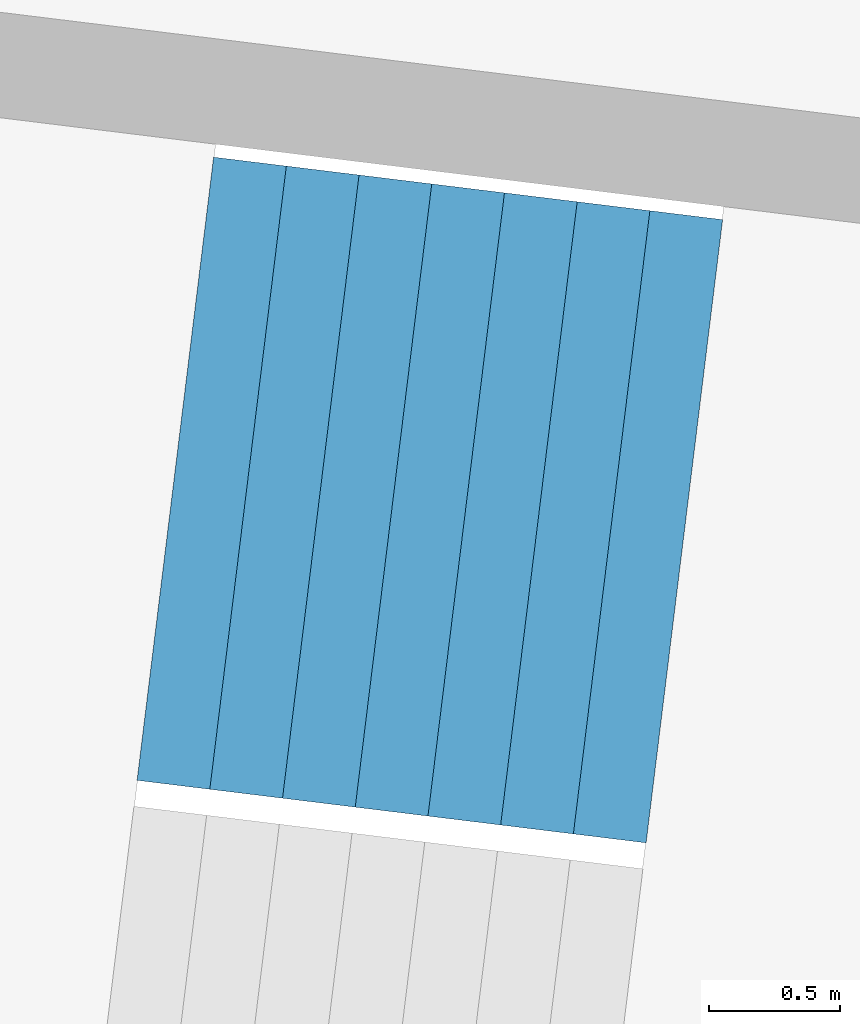
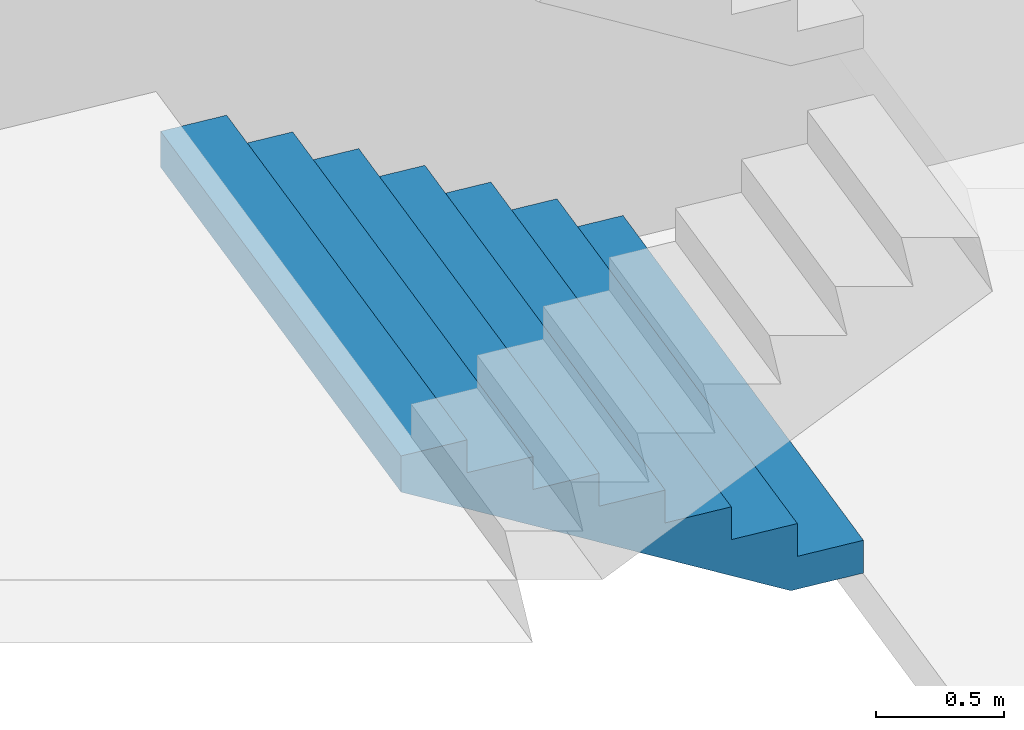
# One storey, part 29 of 73: 1 stair flight, 1 element without a shape of its own.
"""IFC4 building model written with IfcOpenShell, lengths in metres."""

from ifc_helpers import new_model, si_unit, direction, frame, origin, place, context, subcontext, project, spatial, triangles, material, type_object, element, aggregate, save


model = new_model("IFC4")

# Units and contexts
model_context = context("Model", 3, precision=1e-05, world=origin(), true_north=direction((0.0, 1.0)))
body_context = subcontext(model_context, "Body", "Model", "MODEL_VIEW")
ifc_project = project(units=[si_unit("LENGTHUNIT", "METRE"), si_unit("AREAUNIT", "SQUARE_METRE"), si_unit("VOLUMEUNIT", "CUBIC_METRE"), si_unit("PLANEANGLEUNIT", "RADIAN"), si_unit("MASSUNIT", "GRAM", prefix="KILO")], contexts=[model_context])

# Site, building, storey
site_placement = place(None, origin())
site = spatial("IfcSite", under=ifc_project, at=site_placement, CompositionType="ELEMENT")
building_placement = place(site_placement, origin())
building = spatial("IfcBuilding", under=site, at=building_placement, Name="Lantaw Convention Tower", CompositionType="ELEMENT")
storey_placement = place(building_placement, frame((0.0, 0.0, 22.0)))
storey = spatial("IfcBuildingStorey", under=building, at=storey_placement, Name="L03", CompositionType="ELEMENT", Elevation=22.0)

# Stair, stair flight
ifc_material = material(Name="Concrete C35/45", Category="concrete")
stair_type = type_object("IfcStairType", Name="Exit stair 2400 riser 156.25 in 4 flights", PredefinedType="HALF_TURN_STAIR", material=ifc_material)
stair_placement = place(storey_placement, origin())
stair = element("IfcStair", 1, at=stair_placement, inside=storey, type_object=stair_type, Name="Podium exit stair P9 L03", PredefinedType="HALF_TURN_STAIR")
stair_flight_type = type_object("IfcStairFlightType", Name="Stair flight 2400 riser 156.25", PredefinedType="STRAIGHT", material=ifc_material)
stair_flight_placement = place(storey_placement, frame((-37.9716796875, 5.921630859375, 0.0), z_axis=(0.0, 0.0, 1.0), x_axis=(-0.992546151641, 0.121869343405, 0.0)))
stair_flight = element("IfcStairFlight", 2, at=stair_flight_placement, type_object=stair_flight_type, Name="P9 flight 1", NumberOfRisers=8, NumberOfTreads=7, PredefinedType="STRAIGHT", RiserHeight=0.15625, TreadLength=0.28, context=body_context, shape_type="Tessellation", body=[
    triangles([(0.0, 1.199951171875, 0.0), (0.0, 1.199951171875, 0.15625), (0.28, 1.199951171875, 0.0), (0.28, 1.199951171875, 0.15625), (0.28, 1.199951171875, 0.3125), (0.3076200632058044, 1.199951171875, 0.0), (0.3076200632058044, 1.199951171875, 0.3125), (0.56, 1.199951171875, 0.14083701830033238), (0.56, 1.199951171875, 0.3125), (0.56, 1.199951171875, 0.46875), (0.8400000000000001, 1.199951171875, 0.29708701830033235), (0.8400000000000001, 1.199951171875, 0.46875), (0.8400000000000001, 1.199951171875, 0.625), (1.12, 1.199951171875, 0.45333701830033235), (1.12, 1.199951171875, 0.625), (1.12, 1.199951171875, 0.78125), (1.4000000000000001, 1.199951171875, 0.6095870183003324), (1.4000000000000001, 1.199951171875, 0.78125), (1.4000000000000001, 1.199951171875, 0.9375), (1.6800000000000002, 1.199951171875, 0.7658370183003324), (1.6800000000000002, 1.199951171875, 0.9375), (1.6800000000000002, 1.199951171875, 1.09375), (1.9600000000000002, 1.199951171875, 0.9220870183003324), (1.9600000000000002, 1.199951171875, 1.09375), (0.0, -1.199951171875, 0.0), (0.0, -1.199951171875, 0.15625), (0.28, -1.199951171875, 0.0), (0.28, -1.199951171875, 0.15625), (0.28, -1.199951171875, 0.3125), (0.3076200632058044, -1.199951171875, 0.0), (0.3076200632058044, -1.199951171875, 0.3125), (0.56, -1.199951171875, 0.14083701830033238), (0.56, -1.199951171875, 0.3125), (0.56, -1.199951171875, 0.46875), (0.8400000000000001, -1.199951171875, 0.29708701830033235), (0.8400000000000001, -1.199951171875, 0.46875), (0.8400000000000001, -1.199951171875, 0.625), (1.12, -1.199951171875, 0.45333701830033235), (1.12, -1.199951171875, 0.625), (1.12, -1.199951171875, 0.78125), (1.4000000000000001, -1.199951171875, 0.6095870183003324), (1.4000000000000001, -1.199951171875, 0.78125), (1.4000000000000001, -1.199951171875, 0.9375), (1.6800000000000002, -1.199951171875, 0.7658370183003324), (1.6800000000000002, -1.199951171875, 0.9375), (1.6800000000000002, -1.199951171875, 1.09375), (1.9600000000000002, -1.199951171875, 0.9220870183003324), (1.9600000000000002, -1.199951171875, 1.09375), (0.0, 0.239990234375, 0.15625), (0.0, 0.239990234375, 0.0), (0.0, 0.1919921875, 0.15625), (0.0, 0.1919921875, 0.0), (0.0, 0.143994140625, 0.15625), (0.0, 0.143994140625, 0.0), (0.0, 0.09599609375, 0.15625), (0.0, 0.09599609375, 0.0), (0.0, 0.047998046875, 0.15625), (0.0, 0.047998046875, 0.0), (0.0, 0.0, 0.15625), (0.0, 0.0, 0.0), (0.0, -0.047998046875, 0.15625), (0.0, -0.047998046875, 0.0), (0.0, -0.09599609375, 0.15625), (0.0, -0.09599609375, 0.0), (0.0, -0.143994140625, 0.15625), (0.0, -0.143994140625, 0.0), (0.0, -0.1919921875, 0.15625), (0.0, -0.1919921875, 0.0), (0.0, -0.239990234375, 0.15625), (0.0, -0.239990234375, 0.0), (0.28, 0.239990234375, 0.3125), (0.28, 0.239990234375, 0.15625), (0.28, 0.1919921875, 0.3125), (0.28, 0.1919921875, 0.15625), (0.28, 0.143994140625, 0.3125), (0.28, 0.143994140625, 0.15625), (0.28, 0.09599609375, 0.3125), (0.28, 0.09599609375, 0.15625), (0.28, 0.047998046875, 0.3125), (0.28, 0.047998046875, 0.15625), (0.28, 0.0, 0.3125), (0.28, 0.0, 0.15625), (0.28, -0.047998046875, 0.3125), (0.28, -0.047998046875, 0.15625), (0.28, -0.09599609375, 0.3125), (0.28, -0.09599609375, 0.15625), (0.28, -0.143994140625, 0.3125), (0.28, -0.143994140625, 0.15625), (0.28, -0.1919921875, 0.3125), (0.28, -0.1919921875, 0.15625), (0.28, -0.239990234375, 0.3125), (0.28, -0.239990234375, 0.15625), (0.56, 0.239990234375, 0.46875), (0.56, 0.239990234375, 0.3125), (0.56, 0.1919921875, 0.46875), (0.56, 0.1919921875, 0.3125), (0.56, 0.143994140625, 0.46875), (0.56, 0.143994140625, 0.3125), (0.56, 0.09599609375, 0.46875), (0.56, 0.09599609375, 0.3125), (0.56, 0.047998046875, 0.46875), (0.56, 0.047998046875, 0.3125), (0.56, 0.0, 0.46875), (0.56, 0.0, 0.3125), (0.56, -0.047998046875, 0.46875), (0.56, -0.047998046875, 0.3125), (0.56, -0.09599609375, 0.46875), (0.56, -0.09599609375, 0.3125), (0.56, -0.143994140625, 0.46875), (0.56, -0.143994140625, 0.3125), (0.56, -0.1919921875, 0.46875), (0.56, -0.1919921875, 0.3125), (0.56, -0.239990234375, 0.46875), (0.56, -0.239990234375, 0.3125), (0.8400000000000001, 0.239990234375, 0.625), (0.8400000000000001, 0.239990234375, 0.46875), (0.8400000000000001, 0.1919921875, 0.625), (0.8400000000000001, 0.1919921875, 0.46875), (0.8400000000000001, 0.143994140625, 0.625), (0.8400000000000001, 0.143994140625, 0.46875), (0.8400000000000001, 0.09599609375, 0.625), (0.8400000000000001, 0.09599609375, 0.46875), (0.8400000000000001, 0.047998046875, 0.625), (0.8400000000000001, 0.047998046875, 0.46875), (0.8400000000000001, 0.0, 0.625), (0.8400000000000001, 0.0, 0.46875), (0.8400000000000001, -0.047998046875, 0.625), (0.8400000000000001, -0.047998046875, 0.46875), (0.8400000000000001, -0.09599609375, 0.625), (0.8400000000000001, -0.09599609375, 0.46875), (0.8400000000000001, -0.143994140625, 0.625), (0.8400000000000001, -0.143994140625, 0.46875), (0.8400000000000001, -0.1919921875, 0.625), (0.8400000000000001, -0.1919921875, 0.46875), (0.8400000000000001, -0.239990234375, 0.625), (0.8400000000000001, -0.239990234375, 0.46875), (1.12, 0.239990234375, 0.78125), (1.12, 0.239990234375, 0.625), (1.12, 0.1919921875, 0.78125), (1.12, 0.1919921875, 0.625), (1.12, 0.143994140625, 0.78125), (1.12, 0.143994140625, 0.625), (1.12, 0.09599609375, 0.78125), (1.12, 0.09599609375, 0.625), (1.12, 0.047998046875, 0.78125), (1.12, 0.047998046875, 0.625), (1.12, 0.0, 0.78125), (1.12, 0.0, 0.625), (1.12, -0.047998046875, 0.78125), (1.12, -0.047998046875, 0.625), (1.12, -0.09599609375, 0.78125), (1.12, -0.09599609375, 0.625), (1.12, -0.143994140625, 0.78125), (1.12, -0.143994140625, 0.625), (1.12, -0.1919921875, 0.78125), (1.12, -0.1919921875, 0.625), (1.12, -0.239990234375, 0.78125), (1.12, -0.239990234375, 0.625), (1.4000000000000001, 0.239990234375, 0.9375), (1.4000000000000001, 0.239990234375, 0.78125), (1.4000000000000001, 0.1919921875, 0.9375), (1.4000000000000001, 0.1919921875, 0.78125), (1.4000000000000001, 0.143994140625, 0.9375), (1.4000000000000001, 0.143994140625, 0.78125), (1.4000000000000001, 0.09599609375, 0.9375), (1.4000000000000001, 0.09599609375, 0.78125), (1.4000000000000001, 0.047998046875, 0.9375), (1.4000000000000001, 0.047998046875, 0.78125), (1.4000000000000001, 0.0, 0.9375), (1.4000000000000001, 0.0, 0.78125), (1.4000000000000001, -0.047998046875, 0.9375), (1.4000000000000001, -0.047998046875, 0.78125), (1.4000000000000001, -0.09599609375, 0.9375), (1.4000000000000001, -0.09599609375, 0.78125), (1.4000000000000001, -0.143994140625, 0.9375), (1.4000000000000001, -0.143994140625, 0.78125), (1.4000000000000001, -0.1919921875, 0.9375), (1.4000000000000001, -0.1919921875, 0.78125), (1.4000000000000001, -0.239990234375, 0.9375), (1.4000000000000001, -0.239990234375, 0.78125), (1.6800000000000002, 0.239990234375, 1.09375), (1.6800000000000002, 0.239990234375, 0.9375), (1.6800000000000002, 0.1919921875, 1.09375), (1.6800000000000002, 0.1919921875, 0.9375), (1.6800000000000002, 0.143994140625, 1.09375), (1.6800000000000002, 0.143994140625, 0.9375), (1.6800000000000002, 0.09599609375, 1.09375), (1.6800000000000002, 0.09599609375, 0.9375), (1.6800000000000002, 0.047998046875, 1.09375), (1.6800000000000002, 0.047998046875, 0.9375), (1.6800000000000002, 0.0, 1.09375), (1.6800000000000002, 0.0, 0.9375), (1.6800000000000002, -0.047998046875, 1.09375), (1.6800000000000002, -0.047998046875, 0.9375), (1.6800000000000002, -0.09599609375, 1.09375), (1.6800000000000002, -0.09599609375, 0.9375), (1.6800000000000002, -0.143994140625, 1.09375), (1.6800000000000002, -0.143994140625, 0.9375), (1.6800000000000002, -0.1919921875, 1.09375), (1.6800000000000002, -0.1919921875, 0.9375), (1.6800000000000002, -0.239990234375, 1.09375), (1.6800000000000002, -0.239990234375, 0.9375), (0.3076200632058044, 0.239990234375, 0.3125), (0.3076200632058044, 0.1919921875, 0.3125), (0.3076200632058044, 0.143994140625, 0.3125), (0.3076200632058044, 0.09599609375, 0.3125), (0.3076200632058044, 0.047998046875, 0.3125), (0.3076200632058044, 0.0, 0.3125), (0.3076200632058044, -0.047998046875, 0.3125), (0.3076200632058044, -0.09599609375, 0.3125), (0.3076200632058044, -0.143994140625, 0.3125), (0.3076200632058044, -0.1919921875, 0.3125), (0.3076200632058044, -0.239990234375, 0.3125), (1.9600000000000002, 0.239990234375, 1.09375), (1.9600000000000002, 0.1919921875, 1.09375), (1.9600000000000002, 0.143994140625, 1.09375), (1.9600000000000002, 0.09599609375, 1.09375), (1.9600000000000002, 0.047998046875, 1.09375), (1.9600000000000002, 0.0, 1.09375), (1.9600000000000002, -0.047998046875, 1.09375), (1.9600000000000002, -0.09599609375, 1.09375), (1.9600000000000002, -0.143994140625, 1.09375), (1.9600000000000002, -0.1919921875, 1.09375), (1.9600000000000002, -0.239990234375, 1.09375), (1.9600000000000002, 0.239990234375, 0.9220870183003324), (1.9600000000000002, 0.1919921875, 0.9220870183003324), (1.9600000000000002, 0.143994140625, 0.9220870183003324), (1.9600000000000002, 0.09599609375, 0.9220870183003324), (1.9600000000000002, 0.047998046875, 0.9220870183003324), (1.9600000000000002, 0.0, 0.9220870183003324), (1.9600000000000002, -0.047998046875, 0.9220870183003324), (1.9600000000000002, -0.09599609375, 0.9220870183003324), (1.9600000000000002, -0.143994140625, 0.9220870183003324), (1.9600000000000002, -0.1919921875, 0.9220870183003324), (1.9600000000000002, -0.239990234375, 0.9220870183003324), (1.6800000000000002, 0.239990234375, 0.7658370183003324), (1.6800000000000002, 0.1919921875, 0.7658370183003324), (1.6800000000000002, 0.143994140625, 0.7658370183003324), (1.6800000000000002, 0.09599609375, 0.7658370183003324), (1.6800000000000002, 0.047998046875, 0.7658370183003324), (1.6800000000000002, 0.0, 0.7658370183003324), (1.6800000000000002, -0.047998046875, 0.7658370183003324), (1.6800000000000002, -0.09599609375, 0.7658370183003324), (1.6800000000000002, -0.143994140625, 0.7658370183003324), (1.6800000000000002, -0.1919921875, 0.7658370183003324), (1.6800000000000002, -0.239990234375, 0.7658370183003324), (1.4000000000000001, 0.239990234375, 0.6095870183003324), (1.4000000000000001, 0.1919921875, 0.6095870183003324), (1.4000000000000001, 0.143994140625, 0.6095870183003324), (1.4000000000000001, 0.09599609375, 0.6095870183003324), (1.4000000000000001, 0.047998046875, 0.6095870183003324), (1.4000000000000001, 0.0, 0.6095870183003324), (1.4000000000000001, -0.047998046875, 0.6095870183003324), (1.4000000000000001, -0.09599609375, 0.6095870183003324), (1.4000000000000001, -0.143994140625, 0.6095870183003324), (1.4000000000000001, -0.1919921875, 0.6095870183003324), (1.4000000000000001, -0.239990234375, 0.6095870183003324), (1.12, 0.239990234375, 0.45333701830033235), (1.12, 0.1919921875, 0.45333701830033235), (1.12, 0.143994140625, 0.45333701830033235), (1.12, 0.09599609375, 0.45333701830033235), (1.12, 0.047998046875, 0.45333701830033235), (1.12, 0.0, 0.45333701830033235), (1.12, -0.047998046875, 0.45333701830033235), (1.12, -0.09599609375, 0.45333701830033235), (1.12, -0.143994140625, 0.45333701830033235), (1.12, -0.1919921875, 0.45333701830033235), (1.12, -0.239990234375, 0.45333701830033235), (0.8400000000000001, 0.239990234375, 0.29708701830033235), (0.8400000000000001, 0.1919921875, 0.29708701830033235), (0.8400000000000001, 0.143994140625, 0.29708701830033235), (0.8400000000000001, 0.09599609375, 0.29708701830033235), (0.8400000000000001, 0.047998046875, 0.29708701830033235), (0.8400000000000001, 0.0, 0.29708701830033235), (0.8400000000000001, -0.047998046875, 0.29708701830033235), (0.8400000000000001, -0.09599609375, 0.29708701830033235), (0.8400000000000001, -0.143994140625, 0.29708701830033235), (0.8400000000000001, -0.1919921875, 0.29708701830033235), (0.8400000000000001, -0.239990234375, 0.29708701830033235), (0.56, 0.239990234375, 0.14083701830033238), (0.56, 0.1919921875, 0.14083701830033238), (0.56, 0.143994140625, 0.14083701830033238), (0.56, 0.09599609375, 0.14083701830033238), (0.56, 0.047998046875, 0.14083701830033238), (0.56, 0.0, 0.14083701830033238), (0.56, -0.047998046875, 0.14083701830033238), (0.56, -0.09599609375, 0.14083701830033238), (0.56, -0.143994140625, 0.14083701830033238), (0.56, -0.1919921875, 0.14083701830033238), (0.56, -0.239990234375, 0.14083701830033238), (0.3076200632058044, 0.239990234375, 0.0), (0.3076200632058044, 0.1919921875, 0.0), (0.3076200632058044, 0.143994140625, 0.0), (0.3076200632058044, 0.09599609375, 0.0), (0.3076200632058044, 0.047998046875, 0.0), (0.3076200632058044, 0.0, 0.0), (0.3076200632058044, -0.047998046875, 0.0), (0.3076200632058044, -0.09599609375, 0.0), (0.3076200632058044, -0.143994140625, 0.0), (0.3076200632058044, -0.1919921875, 0.0), (0.3076200632058044, -0.239990234375, 0.0), (0.28, 0.239990234375, 0.0), (0.28, 0.1919921875, 0.0), (0.28, 0.143994140625, 0.0), (0.28, 0.09599609375, 0.0), (0.28, 0.047998046875, 0.0), (0.28, 0.0, 0.0), (0.28, -0.047998046875, 0.0), (0.28, -0.09599609375, 0.0), (0.28, -0.143994140625, 0.0), (0.28, -0.1919921875, 0.0), (0.28, -0.239990234375, 0.0)], [[1, 4, 3], [1, 2, 4], [3, 4, 6], [4, 7, 6], [4, 5, 7], [6, 9, 8], [6, 7, 9], [8, 9, 11], [9, 12, 11], [9, 10, 12], [11, 12, 14], [12, 15, 14], [12, 13, 15], [14, 15, 17], [15, 18, 17], [15, 16, 18], [17, 18, 20], [18, 21, 20], [18, 19, 21], [20, 21, 23], [21, 24, 23], [21, 22, 24], [25, 27, 28], [25, 28, 26], [27, 30, 28], [28, 30, 31], [28, 31, 29], [30, 32, 33], [30, 33, 31], [32, 35, 33], [33, 35, 36], [33, 36, 34], [35, 38, 36], [36, 38, 39], [36, 39, 37], [38, 41, 39], [39, 41, 42], [39, 42, 40], [41, 44, 42], [42, 44, 45], [42, 45, 43], [44, 47, 45], [45, 47, 48], [45, 48, 46], [1, 49, 2], [1, 50, 49], [50, 51, 49], [50, 52, 51], [52, 53, 51], [52, 54, 53], [54, 55, 53], [54, 56, 55], [56, 57, 55], [56, 58, 57], [58, 59, 57], [58, 60, 59], [60, 61, 59], [60, 62, 61], [62, 63, 61], [62, 64, 63], [64, 65, 63], [64, 66, 65], [66, 67, 65], [66, 68, 67], [68, 69, 67], [68, 70, 69], [70, 26, 69], [70, 25, 26], [4, 71, 5], [4, 72, 71], [72, 73, 71], [72, 74, 73], [74, 75, 73], [74, 76, 75], [76, 77, 75], [76, 78, 77], [78, 79, 77], [78, 80, 79], [80, 81, 79], [80, 82, 81], [82, 83, 81], [82, 84, 83], [84, 85, 83], [84, 86, 85], [86, 87, 85], [86, 88, 87], [88, 89, 87], [88, 90, 89], [90, 91, 89], [90, 92, 91], [92, 29, 91], [92, 28, 29], [9, 93, 10], [9, 94, 93], [94, 95, 93], [94, 96, 95], [96, 97, 95], [96, 98, 97], [98, 99, 97], [98, 100, 99], [100, 101, 99], [100, 102, 101], [102, 103, 101], [102, 104, 103], [104, 105, 103], [104, 106, 105], [106, 107, 105], [106, 108, 107], [108, 109, 107], [108, 110, 109], [110, 111, 109], [110, 112, 111], [112, 113, 111], [112, 114, 113], [114, 34, 113], [114, 33, 34], [12, 115, 13], [12, 116, 115], [116, 117, 115], [116, 118, 117], [118, 119, 117], [118, 120, 119], [120, 121, 119], [120, 122, 121], [122, 123, 121], [122, 124, 123], [124, 125, 123], [124, 126, 125], [126, 127, 125], [126, 128, 127], [128, 129, 127], [128, 130, 129], [130, 131, 129], [130, 132, 131], [132, 133, 131], [132, 134, 133], [134, 135, 133], [134, 136, 135], [136, 37, 135], [136, 36, 37], [15, 137, 16], [15, 138, 137], [138, 139, 137], [138, 140, 139], [140, 141, 139], [140, 142, 141], [142, 143, 141], [142, 144, 143], [144, 145, 143], [144, 146, 145], [146, 147, 145], [146, 148, 147], [148, 149, 147], [148, 150, 149], [150, 151, 149], [150, 152, 151], [152, 153, 151], [152, 154, 153], [154, 155, 153], [154, 156, 155], [156, 157, 155], [156, 158, 157], [158, 40, 157], [158, 39, 40], [18, 159, 19], [18, 160, 159], [160, 161, 159], [160, 162, 161], [162, 163, 161], [162, 164, 163], [164, 165, 163], [164, 166, 165], [166, 167, 165], [166, 168, 167], [168, 169, 167], [168, 170, 169], [170, 171, 169], [170, 172, 171], [172, 173, 171], [172, 174, 173], [174, 175, 173], [174, 176, 175], [176, 177, 175], [176, 178, 177], [178, 179, 177], [178, 180, 179], [180, 43, 179], [180, 42, 43], [21, 181, 22], [21, 182, 181], [182, 183, 181], [182, 184, 183], [184, 185, 183], [184, 186, 185], [186, 187, 185], [186, 188, 187], [188, 189, 187], [188, 190, 189], [190, 191, 189], [190, 192, 191], [192, 193, 191], [192, 194, 193], [194, 195, 193], [194, 196, 195], [196, 197, 195], [196, 198, 197], [198, 199, 197], [198, 200, 199], [200, 201, 199], [200, 202, 201], [202, 46, 201], [202, 45, 46], [2, 72, 4], [2, 49, 72], [49, 74, 72], [49, 51, 74], [51, 76, 74], [51, 53, 76], [53, 78, 76], [53, 55, 78], [55, 80, 78], [55, 57, 80], [57, 82, 80], [57, 59, 82], [59, 84, 82], [59, 61, 84], [61, 86, 84], [61, 63, 86], [63, 88, 86], [63, 65, 88], [65, 90, 88], [65, 67, 90], [67, 92, 90], [67, 69, 92], [69, 28, 92], [69, 26, 28], [5, 203, 7], [5, 71, 203], [71, 204, 203], [71, 73, 204], [73, 205, 204], [73, 75, 205], [75, 206, 205], [75, 77, 206], [77, 207, 206], [77, 79, 207], [79, 208, 207], [79, 81, 208], [81, 209, 208], [81, 83, 209], [83, 210, 209], [83, 85, 210], [85, 211, 210], [85, 87, 211], [87, 212, 211], [87, 89, 212], [89, 213, 212], [89, 91, 213], [91, 31, 213], [91, 29, 31], [7, 94, 9], [7, 203, 94], [203, 96, 94], [203, 204, 96], [204, 98, 96], [204, 205, 98], [205, 100, 98], [205, 206, 100], [206, 102, 100], [206, 207, 102], [207, 104, 102], [207, 208, 104], [208, 106, 104], [208, 209, 106], [209, 108, 106], [209, 210, 108], [210, 110, 108], [210, 211, 110], [211, 112, 110], [211, 212, 112], [212, 114, 112], [212, 213, 114], [213, 33, 114], [213, 31, 33], [10, 116, 12], [10, 93, 116], [93, 118, 116], [93, 95, 118], [95, 120, 118], [95, 97, 120], [97, 122, 120], [97, 99, 122], [99, 124, 122], [99, 101, 124], [101, 126, 124], [101, 103, 126], [103, 128, 126], [103, 105, 128], [105, 130, 128], [105, 107, 130], [107, 132, 130], [107, 109, 132], [109, 134, 132], [109, 111, 134], [111, 136, 134], [111, 113, 136], [113, 36, 136], [113, 34, 36], [13, 138, 15], [13, 115, 138], [115, 140, 138], [115, 117, 140], [117, 142, 140], [117, 119, 142], [119, 144, 142], [119, 121, 144], [121, 146, 144], [121, 123, 146], [123, 148, 146], [123, 125, 148], [125, 150, 148], [125, 127, 150], [127, 152, 150], [127, 129, 152], [129, 154, 152], [129, 131, 154], [131, 156, 154], [131, 133, 156], [133, 158, 156], [133, 135, 158], [135, 39, 158], [135, 37, 39], [16, 160, 18], [16, 137, 160], [137, 162, 160], [137, 139, 162], [139, 164, 162], [139, 141, 164], [141, 166, 164], [141, 143, 166], [143, 168, 166], [143, 145, 168], [145, 170, 168], [145, 147, 170], [147, 172, 170], [147, 149, 172], [149, 174, 172], [149, 151, 174], [151, 176, 174], [151, 153, 176], [153, 178, 176], [153, 155, 178], [155, 180, 178], [155, 157, 180], [157, 42, 180], [157, 40, 42], [19, 182, 21], [19, 159, 182], [159, 184, 182], [159, 161, 184], [161, 186, 184], [161, 163, 186], [163, 188, 186], [163, 165, 188], [165, 190, 188], [165, 167, 190], [167, 192, 190], [167, 169, 192], [169, 194, 192], [169, 171, 194], [171, 196, 194], [171, 173, 196], [173, 198, 196], [173, 175, 198], [175, 200, 198], [175, 177, 200], [177, 202, 200], [177, 179, 202], [179, 45, 202], [179, 43, 45], [22, 214, 24], [22, 181, 214], [181, 215, 214], [181, 183, 215], [183, 216, 215], [183, 185, 216], [185, 217, 216], [185, 187, 217], [187, 218, 217], [187, 189, 218], [189, 219, 218], [189, 191, 219], [191, 220, 219], [191, 193, 220], [193, 221, 220], [193, 195, 221], [195, 222, 221], [195, 197, 222], [197, 223, 222], [197, 199, 223], [199, 224, 223], [199, 201, 224], [201, 48, 224], [201, 46, 48], [24, 225, 23], [24, 214, 225], [214, 226, 225], [214, 215, 226], [215, 227, 226], [215, 216, 227], [216, 228, 227], [216, 217, 228], [217, 229, 228], [217, 218, 229], [218, 230, 229], [218, 219, 230], [219, 231, 230], [219, 220, 231], [220, 232, 231], [220, 221, 232], [221, 233, 232], [221, 222, 233], [222, 234, 233], [222, 223, 234], [223, 235, 234], [223, 224, 235], [224, 47, 235], [224, 48, 47], [23, 236, 20], [23, 225, 236], [225, 237, 236], [225, 226, 237], [226, 238, 237], [226, 227, 238], [227, 239, 238], [227, 228, 239], [228, 240, 239], [228, 229, 240], [229, 241, 240], [229, 230, 241], [230, 242, 241], [230, 231, 242], [231, 243, 242], [231, 232, 243], [232, 244, 243], [232, 233, 244], [233, 245, 244], [233, 234, 245], [234, 246, 245], [234, 235, 246], [235, 44, 246], [235, 47, 44], [20, 247, 17], [20, 236, 247], [236, 248, 247], [236, 237, 248], [237, 249, 248], [237, 238, 249], [238, 250, 249], [238, 239, 250], [239, 251, 250], [239, 240, 251], [240, 252, 251], [240, 241, 252], [241, 253, 252], [241, 242, 253], [242, 254, 253], [242, 243, 254], [243, 255, 254], [243, 244, 255], [244, 256, 255], [244, 245, 256], [245, 257, 256], [245, 246, 257], [246, 41, 257], [246, 44, 41], [17, 258, 14], [17, 247, 258], [247, 259, 258], [247, 248, 259], [248, 260, 259], [248, 249, 260], [249, 261, 260], [249, 250, 261], [250, 262, 261], [250, 251, 262], [251, 263, 262], [251, 252, 263], [252, 264, 263], [252, 253, 264], [253, 265, 264], [253, 254, 265], [254, 266, 265], [254, 255, 266], [255, 267, 266], [255, 256, 267], [256, 268, 267], [256, 257, 268], [257, 38, 268], [257, 41, 38], [14, 269, 11], [14, 258, 269], [258, 270, 269], [258, 259, 270], [259, 271, 270], [259, 260, 271], [260, 272, 271], [260, 261, 272], [261, 273, 272], [261, 262, 273], [262, 274, 273], [262, 263, 274], [263, 275, 274], [263, 264, 275], [264, 276, 275], [264, 265, 276], [265, 277, 276], [265, 266, 277], [266, 278, 277], [266, 267, 278], [267, 279, 278], [267, 268, 279], [268, 35, 279], [268, 38, 35], [11, 280, 8], [11, 269, 280], [269, 281, 280], [269, 270, 281], [270, 282, 281], [270, 271, 282], [271, 283, 282], [271, 272, 283], [272, 284, 283], [272, 273, 284], [273, 285, 284], [273, 274, 285], [274, 286, 285], [274, 275, 286], [275, 287, 286], [275, 276, 287], [276, 288, 287], [276, 277, 288], [277, 289, 288], [277, 278, 289], [278, 290, 289], [278, 279, 290], [279, 32, 290], [279, 35, 32], [8, 291, 6], [8, 280, 291], [280, 292, 291], [280, 281, 292], [281, 293, 292], [281, 282, 293], [282, 294, 293], [282, 283, 294], [283, 295, 294], [283, 284, 295], [284, 296, 295], [284, 285, 296], [285, 297, 296], [285, 286, 297], [286, 298, 297], [286, 287, 298], [287, 299, 298], [287, 288, 299], [288, 300, 299], [288, 289, 300], [289, 301, 300], [289, 290, 301], [290, 30, 301], [290, 32, 30], [6, 302, 3], [6, 291, 302], [291, 303, 302], [291, 292, 303], [292, 304, 303], [292, 293, 304], [293, 305, 304], [293, 294, 305], [294, 306, 305], [294, 295, 306], [295, 307, 306], [295, 296, 307], [296, 308, 307], [296, 297, 308], [297, 309, 308], [297, 298, 309], [298, 310, 309], [298, 299, 310], [299, 311, 310], [299, 300, 311], [300, 312, 311], [300, 301, 312], [301, 27, 312], [301, 30, 27], [3, 50, 1], [3, 302, 50], [302, 52, 50], [302, 303, 52], [303, 54, 52], [303, 304, 54], [304, 56, 54], [304, 305, 56], [305, 58, 56], [305, 306, 58], [306, 60, 58], [306, 307, 60], [307, 62, 60], [307, 308, 62], [308, 64, 62], [308, 309, 64], [309, 66, 64], [309, 310, 66], [310, 68, 66], [310, 311, 68], [311, 70, 68], [311, 312, 70], [312, 25, 70], [312, 27, 25]], closed=True),
])
aggregate(stair, [stair_flight])

save(model, "model.ifc")
